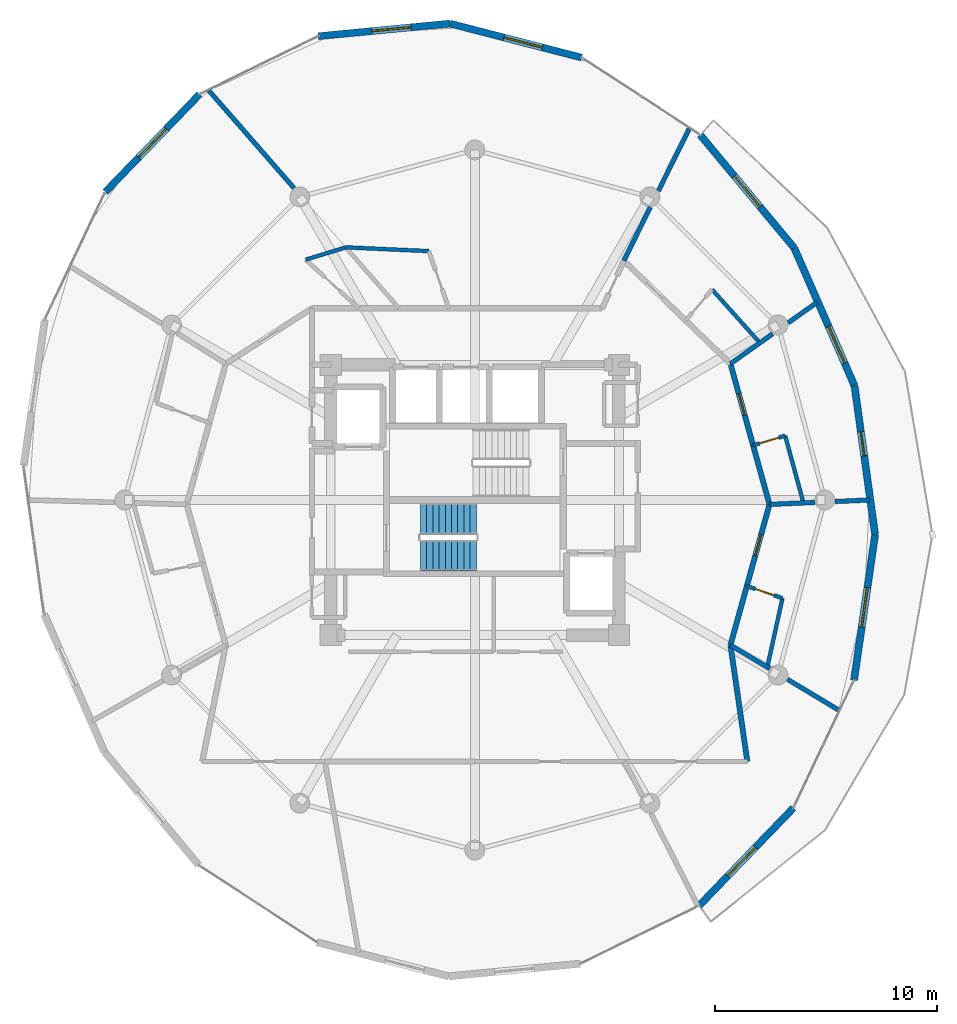
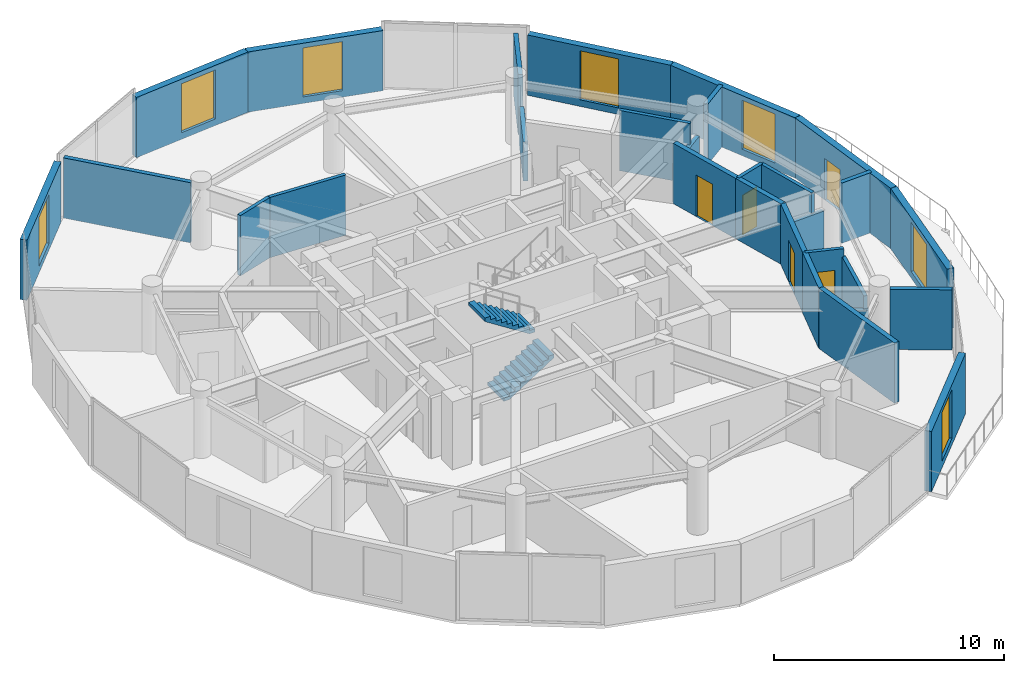
# One storey, part 19 of 22: 29 walls, 7 windows, 5 doors, 2 stair flights, 12 openings, 1 element without a shape of its own.
"""IFC4 building model written with IfcOpenShell, lengths in metres."""

from ifc_helpers import new_model, si_unit, direction, frame, frame_2d, origin, place, context, subcontext, project, spatial, polyline, rectangle, outline, extrude, material, layer, layer_set, type_object, element, fill, aggregate, save


model = new_model("IFC4")

# Units and contexts
model_context = context("Model", 3, precision=1e-05, world=origin(), true_north=direction((0.0, 1.0)))
body_context = subcontext(model_context, "Body", "Model", "MODEL_VIEW")
ifc_project = project(units=[si_unit("LENGTHUNIT", "METRE"), si_unit("AREAUNIT", "SQUARE_METRE"), si_unit("VOLUMEUNIT", "CUBIC_METRE"), si_unit("PLANEANGLEUNIT", "RADIAN"), si_unit("MASSUNIT", "GRAM", prefix="KILO")], contexts=[model_context])

# Site, building, storey
site_placement = place(None, origin())
site = spatial("IfcSite", under=ifc_project, at=site_placement, CompositionType="ELEMENT")
building_placement = place(site_placement, origin())
building = spatial("IfcBuilding", under=site, at=building_placement, Name="Solvirekh Grand Hotel", CompositionType="ELEMENT")
storey_placement = place(building_placement, frame((0.0, 0.0, 230.800048828125)))
storey = spatial("IfcBuildingStorey", under=building, at=storey_placement, Name="L60", CompositionType="ELEMENT", Elevation=230.800048828125)

# Wall, opening, window
ifc_material_1 = material(Name="Precast concrete C45/55", Category="concrete")
ifc_layer_1 = layer(ifc_material_1, 0.320068359375)
ifc_layer_set_1 = layer_set([ifc_layer_1], Name="Precast concrete C45/55")
wall_type_1 = type_object("IfcWallType", Name="ExtLobbyWall_RC320", PredefinedType="SOLIDWALL", material=ifc_layer_set_1)
wall_1_placement = place(storey_placement, frame((14.376953125, -13.90087890625, 0.0), z_axis=(0.0, 0.0, 1.0), x_axis=(-0.694433198018, -0.71955717875, 0.0)))
wall_1 = element("IfcWall", 1, at=wall_1_placement, inside=storey, type_object=wall_type_1, Name="L60 exterior structural wall chord 2", PredefinedType="SOLIDWALL", context=body_context, shape_type="SweptSolid", body=[
    extrude(rectangle(XDim=6.131591796875, YDim=0.320068359375, at=frame_2d((3.06591796875, 0.0))), origin(), (0.0, 0.0, 1.0), 3.199951171875),
])
opening_1_placement = place(wall_1_placement, frame((2.4541015625, 0.0, 0.35009765625)))
opening_1 = element("IfcOpeningElement", 2, at=opening_1_placement, cuts=wall_1, Name="Opening W02", PredefinedType="OPENING", context=body_context, shape_type="SweptSolid", body=[
    extrude(rectangle(XDim=1.800048828125, YDim=2.60009765625, at=frame_2d((0.89990234375, 1.300048828125))), frame((0.0, 0.169921875, 0.0), z_axis=(0.0, -1.0, 0.0), x_axis=(1.0, 0.0, 0.0)), (0.0, 0.0, 1.0), 0.340087890625),
])
ifc_material_2 = material(Name="Low-E Tinted Bronze Laminated Glass", Category="aluminium")
window_type = type_object("IfcWindowType", Name="Win_LobbyExt_1800X2600", PartitioningType="SINGLE_PANEL", PredefinedType="WINDOW", material=ifc_material_2)
window_1_placement = place(opening_1_placement, origin())
window_1 = element("IfcWindow", 3, at=window_1_placement, inside=storey, type_object=window_type, Name="L60 panoramic bronze-framed window 2", OverallHeight=2.60009765625, OverallWidth=1.800048828125, PartitioningType="SINGLE_PANEL", PredefinedType="WINDOW", context=body_context, shape_type="SweptSolid", body=[
    extrude(rectangle(XDim=1.800048828125, YDim=2.60009765625, at=frame_2d((0.89990234375, 1.300048828125))), frame((0.0, 0.030029296875, 0.0), z_axis=(0.0, -1.0, 0.0), x_axis=(1.0, 0.0, 0.0)), (0.0, 0.0, 1.0), 0.06005859375),
])
fill(opening_1, window_1)

wall_2_placement = place(storey_placement, frame((18.06591796875, -1.56005859375, 0.0), z_axis=(0.0, 0.0, 1.0), x_axis=(-0.143125707186, -0.989704517491, 0.0)))
wall_2 = element("IfcWall", 4, at=wall_2_placement, inside=storey, type_object=wall_type_1, Name="L60 exterior structural wall chord 4", PredefinedType="SOLIDWALL", context=body_context, shape_type="SweptSolid", body=[
    extrude(rectangle(XDim=6.63720703125, YDim=0.320068359375, at=frame_2d((3.318603515625, 0.0))), origin(), (0.0, 0.0, 1.0), 3.199951171875),
])
opening_2_placement = place(wall_2_placement, frame((2.4189453125, 0.0, 0.35009765625)))
opening_2 = element("IfcOpeningElement", 5, at=opening_2_placement, cuts=wall_2, Name="Opening W02", PredefinedType="OPENING", context=body_context, shape_type="SweptSolid", body=[
    extrude(rectangle(XDim=1.800048828125, YDim=2.60009765625, at=frame_2d((0.89990234375, 1.300048828125))), frame((0.0, 0.169921875, 0.0), z_axis=(0.0, -1.0, 0.0), x_axis=(1.0, 0.0, 0.0)), (0.0, 0.0, 1.0), 0.340087890625),
])
window_2_placement = place(opening_2_placement, origin())
window_2 = element("IfcWindow", 6, at=window_2_placement, inside=storey, type_object=window_type, Name="L60 panoramic bronze-framed window 4", OverallHeight=2.60009765625, OverallWidth=1.800048828125, PartitioningType="SINGLE_PANEL", PredefinedType="WINDOW", context=body_context, shape_type="SweptSolid", body=[
    extrude(rectangle(XDim=1.800048828125, YDim=2.60009765625, at=frame_2d((0.89990234375, 1.300048828125))), frame((0.0, 0.030029296875, 0.0), z_axis=(0.0, -1.0, 0.0), x_axis=(1.0, 0.0, 0.0)), (0.0, 0.0, 1.0), 0.06005859375),
])
fill(opening_2, window_2)

# Wall, opening, door
wall_3_placement = place(storey_placement, frame((17.135986328125, 5.160888671875, 0.0), z_axis=(0.0, 0.0, 1.0), x_axis=(0.137057460959, -0.990563098644, 0.0)))
wall_3 = element("IfcWall", 7, at=wall_3_placement, inside=storey, type_object=wall_type_1, Name="L60 exterior structural wall chord 5", PredefinedType="SOLIDWALL", context=body_context, shape_type="SweptSolid", body=[
    extrude(rectangle(XDim=6.784912109375, YDim=0.320068359375, at=frame_2d((3.392578125, 0.0))), origin(), (0.0, 0.0, 1.0), 3.199951171875),
])
opening_3_placement = place(wall_3_placement, frame((2.10205078125, 0.0, 0.0)))
opening_3 = element("IfcOpeningElement", 8, at=opening_3_placement, cuts=wall_3, Name="Opening D03", PredefinedType="OPENING", context=body_context, shape_type="SweptSolid", body=[
    extrude(rectangle(XDim=1.10009765625, YDim=2.199951171875, at=frame_2d((0.550048828125, 1.10009765625))), frame((0.0, 0.169921875, 0.0), z_axis=(0.0, -1.0, 0.0), x_axis=(1.0, 0.0, 0.0)), (0.0, 0.0, 1.0), 0.340087890625),
])
ifc_material_3 = material(Name="Anodized Bronze Aluminium 6063-T6", Category="aluminium")
door_type_1 = type_object("IfcDoorType", Name="Door_ExtBalcony_1100X2200", OperationType="NOTDEFINED", PredefinedType="DOOR", material=ifc_material_3)
door_1_placement = place(opening_3_placement, origin())
door_1 = element("IfcDoor", 9, at=door_1_placement, inside=storey, type_object=door_type_1, Name="L60 Crescent balcony glazed door (5)", OperationType="SINGLE_SWING_RIGHT", OverallHeight=2.199951171875, OverallWidth=1.10009765625, PredefinedType="DOOR", context=body_context, shape_type="SweptSolid", body=[
    extrude(rectangle(XDim=1.10009765625, YDim=2.199951171875, at=frame_2d((0.550048828125, 1.10009765625))), frame((0.0, 0.02490234375, 0.0), z_axis=(0.0, -1.0, 0.0), x_axis=(1.0, 0.0, 0.0)), (0.0, 0.0, 1.0), 0.050048828125),
])
fill(opening_3, door_1)

# Wall, opening, window
wall_4_placement = place(storey_placement, frame((14.4150390625, 11.3759765625, 0.0), z_axis=(0.0, 0.0, 1.0), x_axis=(0.401047234641, -0.916057375707, 0.0)))
wall_4 = element("IfcWall", 10, at=wall_4_placement, inside=storey, type_object=wall_type_1, Name="L60 exterior structural wall chord 6", PredefinedType="SOLIDWALL", context=body_context, shape_type="SweptSolid", body=[
    extrude(rectangle(XDim=6.78466796875, YDim=0.320068359375, at=frame_2d((3.392333984375, 0.0))), origin(), (0.0, 0.0, 1.0), 3.199951171875),
])
opening_4_placement = place(wall_4_placement, frame((3.875, 0.0, 0.35009765625)))
opening_4 = element("IfcOpeningElement", 11, at=opening_4_placement, cuts=wall_4, Name="Opening W02", PredefinedType="OPENING", context=body_context, shape_type="SweptSolid", body=[
    extrude(rectangle(XDim=1.800048828125, YDim=2.60009765625, at=frame_2d((0.89990234375, 1.300048828125))), frame((0.0, 0.169921875, 0.0), z_axis=(0.0, -1.0, 0.0), x_axis=(1.0, 0.0, 0.0)), (0.0, 0.0, 1.0), 0.340087890625),
])
window_3_placement = place(opening_4_placement, origin())
window_3 = element("IfcWindow", 12, at=window_3_placement, inside=storey, type_object=window_type, Name="L60 panoramic bronze-framed window 6", OverallHeight=2.60009765625, OverallWidth=1.800048828125, PartitioningType="SINGLE_PANEL", PredefinedType="WINDOW", context=body_context, shape_type="SweptSolid", body=[
    extrude(rectangle(XDim=1.800048828125, YDim=2.60009765625, at=frame_2d((0.89990234375, 1.300048828125))), frame((0.0, 0.030029296875, 0.0), z_axis=(0.0, -1.0, 0.0), x_axis=(1.0, 0.0, 0.0)), (0.0, 0.0, 1.0), 0.06005859375),
])
fill(opening_4, window_3)

wall_5_placement = place(storey_placement, frame((10.1708984375, 16.47900390625, 0.0), z_axis=(0.0, 0.0, 1.0), x_axis=(0.639438786748, -0.76884201108, 0.0)))
wall_5 = element("IfcWall", 13, at=wall_5_placement, inside=storey, type_object=wall_type_1, Name="L60 exterior structural wall chord 7", PredefinedType="SOLIDWALL", context=body_context, shape_type="SweptSolid", body=[
    extrude(rectangle(XDim=6.63720703125, YDim=0.320068359375, at=frame_2d((3.318603515625, 0.0))), origin(), (0.0, 0.0, 1.0), 3.199951171875),
])
opening_5_placement = place(wall_5_placement, frame((2.4189453125, 0.0, 0.35009765625)))
opening_5 = element("IfcOpeningElement", 14, at=opening_5_placement, cuts=wall_5, Name="Opening W02", PredefinedType="OPENING", context=body_context, shape_type="SweptSolid", body=[
    extrude(rectangle(XDim=1.800048828125, YDim=2.60009765625, at=frame_2d((0.89990234375, 1.300048828125))), frame((0.0, 0.169921875, 0.0), z_axis=(0.0, -1.0, 0.0), x_axis=(1.0, 0.0, 0.0)), (0.0, 0.0, 1.0), 0.340087890625),
])
window_4_placement = place(opening_5_placement, origin())
window_4 = element("IfcWindow", 15, at=window_4_placement, inside=storey, type_object=window_type, Name="L60 panoramic bronze-framed window 7", OverallHeight=2.60009765625, OverallWidth=1.800048828125, PartitioningType="SINGLE_PANEL", PredefinedType="WINDOW", context=body_context, shape_type="SweptSolid", body=[
    extrude(rectangle(XDim=1.800048828125, YDim=2.60009765625, at=frame_2d((0.89990234375, 1.300048828125))), frame((0.0, 0.030029296875, 0.0), z_axis=(0.0, -1.0, 0.0), x_axis=(1.0, 0.0, 0.0)), (0.0, 0.0, 1.0), 0.06005859375),
])
fill(opening_5, window_4)

wall_6_placement = place(storey_placement, frame((-1.117919921875, 21.5029296875, 0.0), z_axis=(0.0, 0.0, 1.0), x_axis=(0.968167541314, -0.250303040227, 0.0)))
wall_6 = element("IfcWall", 16, at=wall_6_placement, inside=storey, type_object=wall_type_1, Name="L60 exterior structural wall chord 9", PredefinedType="SOLIDWALL", context=body_context, shape_type="SweptSolid", body=[
    extrude(rectangle(XDim=6.13232421875, YDim=0.320068359375, at=frame_2d((3.066162109375, 0.0))), origin(), (0.0, 0.0, 1.0), 3.199951171875),
])
opening_6_placement = place(wall_6_placement, frame((2.510009765625, 0.0, 0.35009765625)))
opening_6 = element("IfcOpeningElement", 17, at=opening_6_placement, cuts=wall_6, Name="Opening W02", PredefinedType="OPENING", context=body_context, shape_type="SweptSolid", body=[
    extrude(rectangle(XDim=1.800048828125, YDim=2.60009765625, at=frame_2d((0.89990234375, 1.300048828125))), frame((0.0, 0.169921875, 0.0), z_axis=(0.0, -1.0, 0.0), x_axis=(1.0, 0.0, 0.0)), (0.0, 0.0, 1.0), 0.340087890625),
])
window_5_placement = place(opening_6_placement, origin())
window_5 = element("IfcWindow", 18, at=window_5_placement, inside=storey, type_object=window_type, Name="L60 panoramic bronze-framed window 9", OverallHeight=2.60009765625, OverallWidth=1.800048828125, PartitioningType="SINGLE_PANEL", PredefinedType="WINDOW", context=body_context, shape_type="SweptSolid", body=[
    extrude(rectangle(XDim=1.800048828125, YDim=2.60009765625, at=frame_2d((0.89990234375, 1.300048828125))), frame((0.0, 0.030029296875, 0.0), z_axis=(0.0, -1.0, 0.0), x_axis=(1.0, 0.0, 0.0)), (0.0, 0.0, 1.0), 0.06005859375),
])
fill(opening_6, window_5)

wall_7_placement = place(storey_placement, frame((-7.056884765625, 20.931884765625, 0.0), z_axis=(0.0, 0.0, 1.0), x_axis=(0.995409179042, 0.095710847233, 0.0)))
wall_7 = element("IfcWall", 19, at=wall_7_placement, inside=storey, type_object=wall_type_1, Name="L60 exterior structural wall chord 10", PredefinedType="SOLIDWALL", context=body_context, shape_type="SweptSolid", body=[
    extrude(rectangle(XDim=5.96630859375, YDim=0.320068359375, at=frame_2d((2.983154296875, 0.0))), origin(), (0.0, 0.0, 1.0), 3.199951171875),
])
opening_7_placement = place(wall_7_placement, frame((2.408935546875, 0.0, 0.35009765625)))
opening_7 = element("IfcOpeningElement", 20, at=opening_7_placement, cuts=wall_7, Name="Opening W02", PredefinedType="OPENING", context=body_context, shape_type="SweptSolid", body=[
    extrude(rectangle(XDim=1.800048828125, YDim=2.60009765625, at=frame_2d((0.89990234375, 1.300048828125))), frame((0.0, 0.169921875, 0.0), z_axis=(0.0, -1.0, 0.0), x_axis=(1.0, 0.0, 0.0)), (0.0, 0.0, 1.0), 0.340087890625),
])
window_6_placement = place(opening_7_placement, origin())
window_6 = element("IfcWindow", 21, at=window_6_placement, inside=storey, type_object=window_type, Name="L60 panoramic bronze-framed window 10", OverallHeight=2.60009765625, OverallWidth=1.800048828125, PartitioningType="SINGLE_PANEL", PredefinedType="WINDOW", context=body_context, shape_type="SweptSolid", body=[
    extrude(rectangle(XDim=1.800048828125, YDim=2.60009765625, at=frame_2d((0.89990234375, 1.300048828125))), frame((0.0, 0.030029296875, 0.0), z_axis=(0.0, -1.0, 0.0), x_axis=(1.0, 0.0, 0.0)), (0.0, 0.0, 1.0), 0.06005859375),
])
fill(opening_7, window_6)

wall_8_placement = place(storey_placement, frame((-16.677001953125, 13.90087890625, 0.0), z_axis=(0.0, 0.0, 1.0), x_axis=(0.694433198018, 0.71955717875, 0.0)))
wall_8 = element("IfcWall", 22, at=wall_8_placement, inside=storey, type_object=wall_type_1, Name="L60 exterior structural wall chord 12", PredefinedType="SOLIDWALL", context=body_context, shape_type="SweptSolid", body=[
    extrude(rectangle(XDim=6.131591796875, YDim=0.320068359375, at=frame_2d((3.06591796875, 0.0))), origin(), (0.0, 0.0, 1.0), 3.199951171875),
])
opening_8_placement = place(wall_8_placement, frame((2.166015625, 0.0, 0.35009765625)))
opening_8 = element("IfcOpeningElement", 23, at=opening_8_placement, cuts=wall_8, Name="Opening W02", PredefinedType="OPENING", context=body_context, shape_type="SweptSolid", body=[
    extrude(rectangle(XDim=1.800048828125, YDim=2.60009765625, at=frame_2d((0.89990234375, 1.300048828125))), frame((0.0, 0.169921875, 0.0), z_axis=(0.0, -1.0, 0.0), x_axis=(1.0, 0.0, 0.0)), (0.0, 0.0, 1.0), 0.340087890625),
])
window_7_placement = place(opening_8_placement, origin())
window_7 = element("IfcWindow", 24, at=window_7_placement, inside=storey, type_object=window_type, Name="L60 panoramic bronze-framed window 12", OverallHeight=2.60009765625, OverallWidth=1.800048828125, PartitioningType="SINGLE_PANEL", PredefinedType="WINDOW", context=body_context, shape_type="SweptSolid", body=[
    extrude(rectangle(XDim=1.800048828125, YDim=2.60009765625, at=frame_2d((0.89990234375, 1.300048828125))), frame((0.0, 0.030029296875, 0.0), z_axis=(0.0, -1.0, 0.0), x_axis=(1.0, 0.0, 0.0)), (0.0, 0.0, 1.0), 0.06005859375),
])
fill(opening_8, window_7)

# Wall
ifc_material_4 = material(Name="Acoustic Gypsum Partition Assembly")
ifc_layer_2 = layer(ifc_material_4, 0.239990234375)
ifc_layer_set_2 = layer_set([ifc_layer_2], Name="Acoustic Gypsum Partition Assembly")
wall_type_2 = type_object("IfcWallType", Name="Part_Corridor_240", PredefinedType="PARTITIONING", material=ifc_layer_set_2)
wall_9_placement = place(storey_placement, frame((11.5380859375, -6.550048828125, 0.0), z_axis=(0.0, 0.0, 1.0), x_axis=(0.267361785392, 0.963596220266, 0.0)))
element("IfcWall", 25, at=wall_9_placement, inside=storey, type_object=wall_type_2, Name="L60 En-suite Bathroom 6205 corridor backing wall", PredefinedType="PARTITIONING", context=body_context, shape_type="SweptSolid", body=[
    extrude(rectangle(XDim=2.767822265625, YDim=0.239990234375, at=frame_2d((1.3837890625, 0.0))), origin(), (0.0, 0.0, 1.0), 3.199951171875),
])

# Wall, opening, door
wall_10_placement = place(storey_placement, frame((12.278076171875, -3.883056640625, 0.0), z_axis=(0.0, 0.0, 1.0), x_axis=(0.267373718537, 0.963592909187, 0.0)))
wall_10 = element("IfcWall", 26, at=wall_10_placement, inside=storey, type_object=wall_type_2, Name="L60 Deluxe Guestroom 6205 entrance wall", PredefinedType="PARTITIONING", context=body_context, shape_type="SweptSolid", body=[
    extrude(rectangle(XDim=3.822265625, YDim=0.239990234375, at=frame_2d((1.9111328125, 0.0))), origin(), (0.0, 0.0, 1.0), 3.199951171875),
])
opening_9_placement = place(wall_10_placement, frame((1.410888671875, 0.0, 0.0)))
opening_9 = element("IfcOpeningElement", 27, at=opening_9_placement, cuts=wall_10, Name="Opening D07", PredefinedType="OPENING", context=body_context, shape_type="SweptSolid", body=[
    extrude(rectangle(XDim=1.0, YDim=2.199951171875, at=frame_2d((0.5, 1.10009765625))), frame((0.0, 0.1298828125, 0.0), z_axis=(0.0, -1.0, 0.0), x_axis=(1.0, 0.0, 0.0)), (0.0, 0.0, 1.0), 0.260009765625),
])
ifc_material_5 = material(Name="Fire-Rated Steel Door Assembly", Category="steel")
door_type_2 = type_object("IfcDoorType", Name="Door_GuestEntry_1000X2200", OperationType="NOTDEFINED", PredefinedType="DOOR", material=ifc_material_5)
door_2_placement = place(opening_9_placement, origin())
door_2 = element("IfcDoor", 28, at=door_2_placement, inside=storey, type_object=door_type_2, Name="L60 Deluxe Guestroom 6205 entrance door", OperationType="SINGLE_SWING_RIGHT", OverallHeight=2.199951171875, OverallWidth=1.0, PredefinedType="DOOR", context=body_context, shape_type="SweptSolid", body=[
    extrude(rectangle(XDim=1.0, YDim=2.199951171875, at=frame_2d((0.5, 1.10009765625))), frame((0.0, 0.02490234375, 0.0), z_axis=(0.0, -1.0, 0.0), x_axis=(1.0, 0.0, 0.0)), (0.0, 0.0, 1.0), 0.050048828125),
])
fill(opening_9, door_2)

# Wall
wall_11_placement = place(storey_placement, frame((13.300048828125, -0.199951171875, 0.0), z_axis=(0.0, 0.0, 1.0), x_axis=(-0.267361785392, 0.963596220266, 0.0)))
element("IfcWall", 29, at=wall_11_placement, inside=storey, type_object=wall_type_2, Name="L60 En-suite Bathroom 6206 corridor backing wall", PredefinedType="PARTITIONING", context=body_context, shape_type="SweptSolid", body=[
    extrude(rectangle(XDim=2.767822265625, YDim=0.239990234375, at=frame_2d((1.3837890625, 0.0))), origin(), (0.0, 0.0, 1.0), 3.199951171875),
])

# Wall, opening, door
wall_12_placement = place(storey_placement, frame((12.56005859375, 2.467041015625, 0.0), z_axis=(0.0, 0.0, 1.0), x_axis=(-0.267390175797, 0.963588342544, 0.0)))
wall_12 = element("IfcWall", 30, at=wall_12_placement, inside=storey, type_object=wall_type_2, Name="L60 Deluxe Guestroom 6206 entrance wall", PredefinedType="PARTITIONING", context=body_context, shape_type="SweptSolid", body=[
    extrude(rectangle(XDim=3.822021484375, YDim=0.239990234375, at=frame_2d((1.9111328125, 0.0))), origin(), (0.0, 0.0, 1.0), 3.199951171875),
])
opening_10_placement = place(wall_12_placement, frame((1.410888671875, 0.0, 0.0)))
opening_10 = element("IfcOpeningElement", 31, at=opening_10_placement, cuts=wall_12, Name="Opening D07", PredefinedType="OPENING", context=body_context, shape_type="SweptSolid", body=[
    extrude(rectangle(XDim=1.0, YDim=2.199951171875, at=frame_2d((0.5, 1.10009765625))), frame((0.0, 0.1298828125, 0.0), z_axis=(0.0, -1.0, 0.0), x_axis=(1.0, 0.0, 0.0)), (0.0, 0.0, 1.0), 0.260009765625),
])
door_3_placement = place(opening_10_placement, origin())
door_3 = element("IfcDoor", 32, at=door_3_placement, inside=storey, type_object=door_type_2, Name="L60 Deluxe Guestroom 6206 entrance door", OperationType="SINGLE_SWING_RIGHT", OverallHeight=2.199951171875, OverallWidth=1.0, PredefinedType="DOOR", context=body_context, shape_type="SweptSolid", body=[
    extrude(rectangle(XDim=1.0, YDim=2.199951171875, at=frame_2d((0.5, 1.10009765625))), frame((0.0, 0.02490234375, 0.0), z_axis=(0.0, -1.0, 0.0), x_axis=(1.0, 0.0, 0.0)), (0.0, 0.0, 1.0), 0.050048828125),
])
fill(opening_10, door_3)

# Walls
wall_13_placement = place(storey_placement, frame((12.300048828125, -11.800048828125, 0.0), z_axis=(0.0, 0.0, 1.0), x_axis=(-0.143630922764, 0.989631324295, 0.0)))
element("IfcWall", 33, at=wall_13_placement, inside=storey, type_object=wall_type_2, Name="L60 L60 Butler Valet & Linen Steward Room corridor wall 1", PredefinedType="PARTITIONING", context=body_context, shape_type="SweptSolid", body=[
    extrude(rectangle(XDim=5.304931640625, YDim=0.239990234375, at=frame_2d((2.65234375, 0.0))), origin(), (0.0, 0.0, 1.0), 3.199951171875),
])
ifc_layer_3 = layer(ifc_material_4, 0.2099609375)
ifc_layer_set_3 = layer_set([ifc_layer_3], Name="Acoustic Gypsum Partition Assembly")
wall_type_3 = type_object("IfcWallType", Name="Part_SuiteDemise_210", PredefinedType="PARTITIONING", material=ifc_layer_set_3)
wall_14_placement = place(storey_placement, frame((13.300048828125, -0.199951171875, 0.0), z_axis=(0.0, 0.0, 1.0), x_axis=(0.99900803182, 0.044530353235, 0.0)))
element("IfcWall", 34, at=wall_14_placement, inside=storey, type_object=wall_type_3, Name="L60 suite radial wall 1 (A)", PredefinedType="PARTITIONING", context=body_context, shape_type="SweptSolid", body=[
    extrude(rectangle(XDim=2.044921875, YDim=0.2099609375, at=frame_2d((1.0224609375, 0.0))), origin(), (0.0, 0.0, 1.0), 2.06689453125),
])
wall_15_placement = place(storey_placement, frame((16.264892578125, -0.069091796875, 0.0), z_axis=(0.0, 0.0, 1.0), x_axis=(0.99900178974, 0.04467017009, 0.0)))
element("IfcWall", 35, at=wall_15_placement, inside=storey, type_object=wall_type_3, Name="L60 suite radial wall 1 (B)", PredefinedType="PARTITIONING", context=body_context, shape_type="SweptSolid", body=[
    extrude(rectangle(XDim=1.546630859375, YDim=0.2099609375, at=frame_2d((0.7734375, 0.0))), origin(), (0.0, 0.0, 1.0), 3.199951171875),
])
wall_16_placement = place(storey_placement, frame((11.5380859375, 6.14990234375, 0.0), z_axis=(0.0, 0.0, 1.0), x_axis=(0.815822726153, 0.578302065959, 0.0)))
element("IfcWall", 36, at=wall_16_placement, inside=storey, type_object=wall_type_3, Name="L60 suite radial wall 2 (A)", PredefinedType="PARTITIONING", context=body_context, shape_type="SweptSolid", body=[
    extrude(rectangle(XDim=2.331298828125, YDim=0.2099609375, at=frame_2d((1.16552734375, 0.0))), origin(), (0.0, 0.0, 1.0), 2.06689453125),
])
wall_17_placement = place(storey_placement, frame((14.14306640625, 7.9951171875, 0.0), z_axis=(0.0, 0.0, 1.0), x_axis=(0.815967429622, 0.57809787562, 0.0)))
element("IfcWall", 37, at=wall_17_placement, inside=storey, type_object=wall_type_3, Name="L60 suite radial wall 2 (B)", PredefinedType="PARTITIONING", context=body_context, shape_type="SweptSolid", body=[
    extrude(rectangle(XDim=1.59814453125, YDim=0.2099609375, at=frame_2d((0.799072265625, 0.0))), origin(), (0.0, 0.0, 1.0), 3.199951171875),
])
wall_18_placement = place(storey_placement, frame((6.72509765625, 10.799072265625, 0.0), z_axis=(0.0, 0.0, 1.0), x_axis=(0.443620421332, 0.896214774358, 0.0)))
element("IfcWall", 38, at=wall_18_placement, inside=storey, type_object=wall_type_3, Name="L60 suite radial wall 3 (A)", PredefinedType="PARTITIONING", context=body_context, shape_type="SweptSolid", body=[
    extrude(rectangle(XDim=2.693359375, YDim=0.2099609375, at=frame_2d((1.3466796875, 0.0))), origin(), (0.0, 0.0, 1.0), 2.06689453125),
])
wall_19_placement = place(storey_placement, frame((8.285888671875, 13.950927734375, 0.0), z_axis=(0.0, 0.0, 1.0), x_axis=(0.443683126351, 0.896183733054, 0.0)))
element("IfcWall", 39, at=wall_19_placement, inside=storey, type_object=wall_type_3, Name="L60 suite radial wall 3 (B)", PredefinedType="PARTITIONING", context=body_context, shape_type="SweptSolid", body=[
    extrude(rectangle(XDim=3.128662109375, YDim=0.2099609375, at=frame_2d((1.564453125, 0.0))), origin(), (0.0, 0.0, 1.0), 3.199951171875),
])
wall_20_placement = place(storey_placement, frame((11.5380859375, -6.550048828125, 0.0), z_axis=(0.0, 0.0, 1.0), x_axis=(0.857326120852, -0.514773661432, 0.0)))
element("IfcWall", 40, at=wall_20_placement, inside=storey, type_object=wall_type_3, Name="L60 suite radial wall 12 (A)", PredefinedType="PARTITIONING", context=body_context, shape_type="SweptSolid", body=[
    extrude(rectangle(XDim=2.06689453125, YDim=0.2099609375, at=frame_2d((1.033447265625, 0.0))), origin(), (0.0, 0.0, 1.0), 2.06689453125),
])
wall_21_placement = place(storey_placement, frame((14.111083984375, -8.093994140625, 0.0), z_axis=(0.0, 0.0, 1.0), x_axis=(0.857333459741, -0.514761438736, 0.0)))
element("IfcWall", 41, at=wall_21_placement, inside=storey, type_object=wall_type_3, Name="L60 suite radial wall 12 (B)", PredefinedType="PARTITIONING", context=body_context, shape_type="SweptSolid", body=[
    extrude(rectangle(XDim=2.702392578125, YDim=0.2099609375, at=frame_2d((1.35107421875, 0.0))), origin(), (0.0, 0.0, 1.0), 3.199951171875),
])
wall_22_placement = place(storey_placement, frame((-8.156982421875, 14.075927734375, 0.0), z_axis=(0.0, 0.0, 1.0), x_axis=(-0.657708106677, 0.753272889736, 0.0)))
element("IfcWall", 42, at=wall_22_placement, inside=storey, type_object=wall_type_3, Name="L60 Panorama Suite 6201 dividing partition 1 (B)", PredefinedType="PARTITIONING", context=body_context, shape_type="SweptSolid", body=[
    extrude(rectangle(XDim=5.840087890625, YDim=0.2099609375, at=frame_2d((2.919921875, 0.0))), origin(), (0.0, 0.0, 1.0), 3.199951171875),
])
ifc_layer_4 = layer(ifc_material_4, 0.175048828125)
ifc_layer_set_4 = layer_set([ifc_layer_4], Name="Acoustic Gypsum Partition Assembly")
wall_type_4 = type_object("IfcWallType", Name="Plumb_Ensuite_175", PredefinedType="PLUMBINGWALL", material=ifc_layer_set_4)
wall_23_placement = place(storey_placement, frame((-5.822021484375, 11.40087890625, 0.0), z_axis=(0.0, 0.0, 1.0), x_axis=(0.99898352798, -0.045076721529, 0.0)))
element("IfcWall", 43, at=wall_23_placement, inside=storey, type_object=wall_type_4, Name="L60 En-suite Bathroom 6201 outer plumbing wall", PredefinedType="PLUMBINGWALL", context=body_context, shape_type="SweptSolid", body=[
    extrude(rectangle(XDim=3.748046875, YDim=0.175048828125, at=frame_2d((1.8740234375, 0.0))), origin(), (0.0, 0.0, 1.0), 3.199951171875),
])
wall_24_placement = place(storey_placement, frame((-7.62890625, 10.845947265625, 0.0), z_axis=(0.0, 0.0, 1.0), x_axis=(0.955932477138, 0.293586612692, 0.0)))
element("IfcWall", 44, at=wall_24_placement, inside=storey, type_object=wall_type_4, Name="L60 En-suite Bathroom 6202 outer plumbing wall", PredefinedType="PLUMBINGWALL", context=body_context, shape_type="SweptSolid", body=[
    extrude(rectangle(XDim=1.89013671875, YDim=0.175048828125, at=frame_2d((0.945068359375, 0.0))), origin(), (0.0, 0.0, 1.0), 3.199951171875),
])
wall_25_placement = place(storey_placement, frame((13.200927734375, -7.548095703125, 0.0), z_axis=(0.0, 0.0, 1.0), x_axis=(0.214790229416, 0.976660205674, 0.0)))
element("IfcWall", 45, at=wall_25_placement, inside=storey, type_object=wall_type_4, Name="L60 En-suite Bathroom 6205 outer plumbing wall", PredefinedType="PLUMBINGWALL", context=body_context, shape_type="SweptSolid", body=[
    extrude(rectangle(XDim=3.189453125, YDim=0.175048828125, at=frame_2d((1.5947265625, 0.0))), origin(), (0.0, 0.0, 1.0), 2.76904296875),
])

# Wall, opening, door
wall_26_placement = place(storey_placement, frame((12.278076171875, -3.883056640625, 0.0), z_axis=(0.0, 0.0, 1.0), x_axis=(0.946168616294, -0.323674140982, 0.0)))
wall_26 = element("IfcWall", 46, at=wall_26_placement, inside=storey, type_object=wall_type_4, Name="L60 En-suite Bathroom 6205 entry plumbing wall", PredefinedType="PLUMBINGWALL", context=body_context, shape_type="SweptSolid", body=[
    extrude(rectangle(XDim=1.699462890625, YDim=0.175048828125, at=frame_2d((0.849609375, 0.0))), origin(), (0.0, 0.0, 1.0), 3.199951171875),
])
opening_11_placement = place(wall_26_placement, frame((0.39990234375, 0.0, 0.0)))
opening_11 = element("IfcOpeningElement", 47, at=opening_11_placement, cuts=wall_26, Name="Opening D09", PredefinedType="OPENING", context=body_context, shape_type="SweptSolid", body=[
    extrude(rectangle(XDim=0.89990234375, YDim=2.10009765625, at=frame_2d((0.449951171875, 1.050048828125))), frame((0.0, 0.09765625, 0.0), z_axis=(0.0, -1.0, 0.0), x_axis=(1.0, 0.0, 0.0)), (0.0, 0.0, 1.0), 0.195068359375),
])
door_type_3 = type_object("IfcDoorType", Name="Door_Ensuite_900X2100", OperationType="NOTDEFINED", PredefinedType="DOOR", material=ifc_material_3)
door_4_placement = place(opening_11_placement, origin())
door_4 = element("IfcDoor", 48, at=door_4_placement, inside=storey, type_object=door_type_3, Name="L60 En-suite Bathroom 6205 door", OperationType="SINGLE_SWING_LEFT", OverallHeight=2.10009765625, OverallWidth=0.89990234375, PredefinedType="DOOR", context=body_context, shape_type="SweptSolid", body=[
    extrude(rectangle(XDim=0.89990234375, YDim=2.10009765625, at=frame_2d((0.449951171875, 1.050048828125))), frame((0.0, 0.02490234375, 0.0), z_axis=(0.0, -1.0, 0.0), x_axis=(1.0, 0.0, 0.0)), (0.0, 0.0, 1.0), 0.050048828125),
])
fill(opening_11, door_4)

# Wall
wall_27_placement = place(storey_placement, frame((14.8330078125, -0.132080078125, 0.0), z_axis=(0.0, 0.0, 1.0), x_axis=(-0.262361781469, 0.964969582746, 0.0)))
element("IfcWall", 49, at=wall_27_placement, inside=storey, type_object=wall_type_4, Name="L60 En-suite Bathroom 6206 outer plumbing wall", PredefinedType="PLUMBINGWALL", context=body_context, shape_type="SweptSolid", body=[
    extrude(rectangle(XDim=3.144287109375, YDim=0.175048828125, at=frame_2d((1.572265625, 0.0))), origin(), (0.0, 0.0, 1.0), 3.199951171875),
])

# Wall, opening, door
wall_28_placement = place(storey_placement, frame((12.56005859375, 2.467041015625, 0.0), z_axis=(0.0, 0.0, 1.0), x_axis=(0.957706206775, 0.287747843614, 0.0)))
wall_28 = element("IfcWall", 50, at=wall_28_placement, inside=storey, type_object=wall_type_4, Name="L60 En-suite Bathroom 6206 entry plumbing wall", PredefinedType="PLUMBINGWALL", context=body_context, shape_type="SweptSolid", body=[
    extrude(rectangle(XDim=1.511962890625, YDim=0.175048828125, at=frame_2d((0.755859375, 0.0))), origin(), (0.0, 0.0, 1.0), 3.199951171875),
])
opening_12_placement = place(wall_28_placement, frame((0.305908203125, 0.0, 0.0)))
opening_12 = element("IfcOpeningElement", 51, at=opening_12_placement, cuts=wall_28, Name="Opening D09", PredefinedType="OPENING", context=body_context, shape_type="SweptSolid", body=[
    extrude(rectangle(XDim=0.89990234375, YDim=2.10009765625, at=frame_2d((0.449951171875, 1.050048828125))), frame((0.0, 0.09765625, 0.0), z_axis=(0.0, -1.0, 0.0), x_axis=(1.0, 0.0, 0.0)), (0.0, 0.0, 1.0), 0.195068359375),
])
door_5_placement = place(opening_12_placement, origin())
door_5 = element("IfcDoor", 52, at=door_5_placement, inside=storey, type_object=door_type_3, Name="L60 En-suite Bathroom 6206 door", OperationType="SINGLE_SWING_LEFT", OverallHeight=2.10009765625, OverallWidth=0.89990234375, PredefinedType="DOOR", context=body_context, shape_type="SweptSolid", body=[
    extrude(rectangle(XDim=0.89990234375, YDim=2.10009765625, at=frame_2d((0.449951171875, 1.050048828125))), frame((0.0, 0.02490234375, 0.0), z_axis=(0.0, -1.0, 0.0), x_axis=(1.0, 0.0, 0.0)), (0.0, 0.0, 1.0), 0.050048828125),
])
fill(opening_12, door_5)

# Wall
wall_29_placement = place(storey_placement, frame((12.866943359375, 7.091064453125, 0.0), z_axis=(0.0, 0.0, 1.0), x_axis=(-0.667390556652, 0.744707892325, 0.0)))
element("IfcWall", 53, at=wall_29_placement, inside=storey, type_object=wall_type_4, Name="L60 En-suite Bathroom 6207 outer plumbing wall", PredefinedType="PLUMBINGWALL", context=body_context, shape_type="SweptSolid", body=[
    extrude(rectangle(XDim=3.2333984375, YDim=0.175048828125, at=frame_2d((1.61669921875, 0.0))), origin(), (0.0, 0.0, 1.0), 3.199951171875),
])

# Stair, stair flights
ifc_material_6 = material(Name="Concrete C40/50", Category="concrete")
stair_type = type_object("IfcStairType", Name="Stair_Core_1450", PredefinedType="HALF_TURN_STAIR", material=ifc_material_6)
stair_placement = place(storey_placement, origin())
stair = element("IfcStair", 54, at=stair_placement, inside=storey, type_object=stair_type, Name="L60 Enclosed exit stair ST-1", PredefinedType="HALF_TURN_STAIR")
stair_flight_type = type_object("IfcStairFlightType", Name="Flight_Core_1450", PredefinedType="STRAIGHT", material=ifc_material_6)
stair_flight_1_placement = place(storey_placement, frame((-2.449951171875, -2.5, 0.0), z_axis=(0.0, 0.0, 1.0), x_axis=(1.0, 0.0, 0.0)))
stair_flight_1 = element("IfcStairFlight", 55, at=stair_flight_1_placement, type_object=stair_flight_type, Name="ST-1 flight 1", NumberOfRisers=10, NumberOfTreads=9, PredefinedType="STRAIGHT", RiserHeight=0.18, TreadLength=0.28, context=body_context, shape_type="SweptSolid", body=[
    extrude(outline(polyline([(0.0, 0.0), (0.0, 0.179931640625), (0.280029296875, 0.179931640625), (0.280029296875, 0.360107421875), (0.56005859375, 0.360107421875), (0.56005859375, 0.5400390625), (0.840087890625, 0.5400390625), (0.840087890625, 0.719970703125), (1.1201171875, 0.719970703125), (1.1201171875, 0.89990234375), (1.39990234375, 0.89990234375), (1.39990234375, 1.080078125), (1.679931640625, 1.080078125), (1.679931640625, 1.260009765625), (1.9599609375, 1.260009765625), (1.9599609375, 1.43994140625), (2.239990234375, 1.43994140625), (2.239990234375, 1.6201171875), (2.52001953125, 1.6201171875), (2.52001953125, 1.800048828125), (2.52001953125, 1.44189453125), (0.277099609375, 0.0), (0.0, 0.0)])), frame((0.0, 0.699951171875, 0.0), z_axis=(0.0, -1.0, 0.0), x_axis=(1.0, 0.0, 0.0)), (0.0, 0.0, 1.0), 1.39990234375),
])
stair_flight_2_placement = place(storey_placement, frame((0.070068359375, -0.85009765625, 1.800048828125), z_axis=(0.0, 0.0, 1.0), x_axis=(-1.0, 0.0, 0.0)))
stair_flight_2 = element("IfcStairFlight", 56, at=stair_flight_2_placement, type_object=stair_flight_type, Name="ST-1 flight 2", NumberOfRisers=10, NumberOfTreads=9, PredefinedType="STRAIGHT", RiserHeight=0.18, TreadLength=0.28, context=body_context, shape_type="SweptSolid", body=[
    extrude(outline(polyline([(0.0, 0.0), (0.0, 0.179931640625), (0.280029296875, 0.179931640625), (0.280029296875, 0.360107421875), (0.56005859375, 0.360107421875), (0.56005859375, 0.5400390625), (0.840087890625, 0.5400390625), (0.840087890625, 0.719970703125), (1.1201171875, 0.719970703125), (1.1201171875, 0.89990234375), (1.39990234375, 0.89990234375), (1.39990234375, 1.080078125), (1.679931640625, 1.080078125), (1.679931640625, 1.260009765625), (1.9599609375, 1.260009765625), (1.9599609375, 1.43994140625), (2.239990234375, 1.43994140625), (2.239990234375, 1.6201171875), (2.52001953125, 1.6201171875), (2.52001953125, 1.800048828125), (2.52001953125, 1.44189453125), (0.277099609375, 0.0), (0.0, 0.0)])), frame((0.0, 0.699951171875, 0.0), z_axis=(0.0, -1.0, 0.0), x_axis=(1.0, 0.0, 0.0)), (0.0, 0.0, 1.0), 1.39990234375),
])
aggregate(stair, [stair_flight_1, stair_flight_2])

save(model, "model.ifc")
